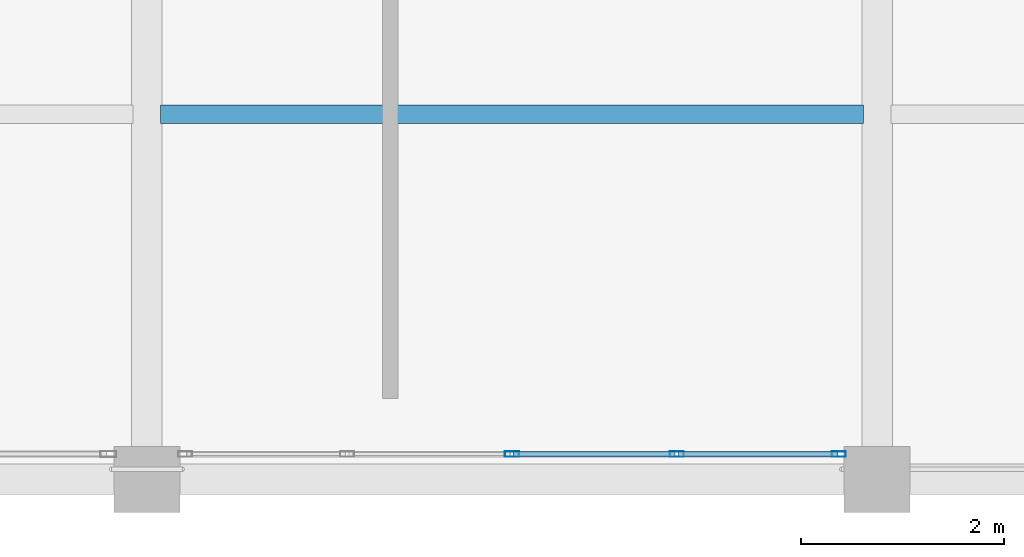
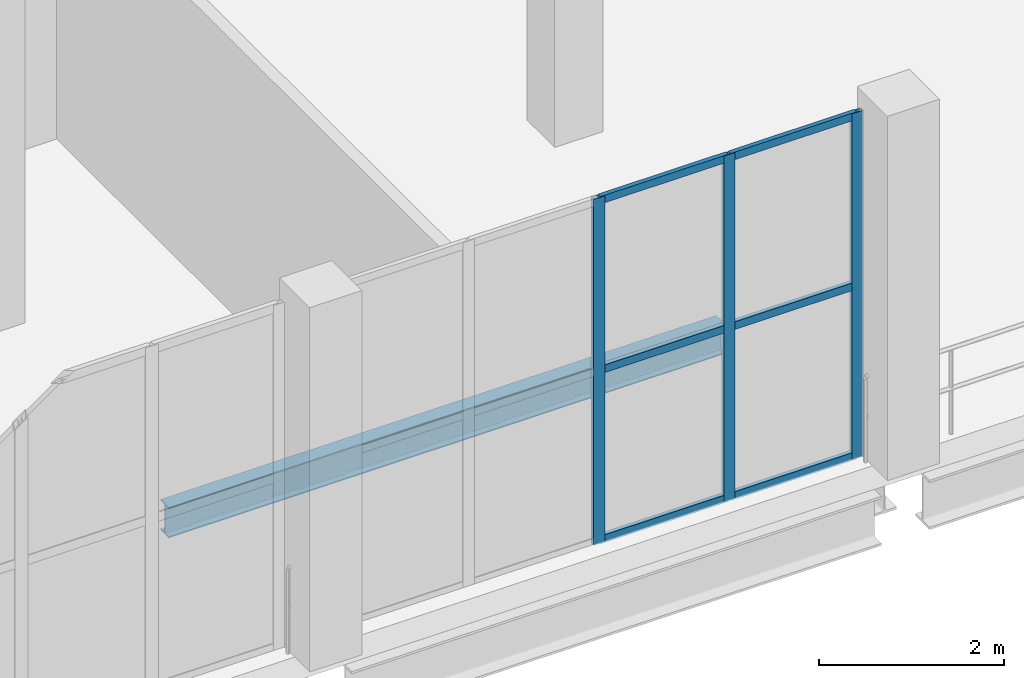
# One storey, part 26 of 105: 9 members, 1 beam, 1 element without a shape of its own.
"""IFC4 building model written with IfcOpenShell, lengths in metres."""

from ifc_helpers import new_model, si_unit, direction, frame, origin, origin_2d, place, context, subcontext, project, spatial, hollow_rectangle, i_section, extrude, material, material_profile, profile_set, type_object, element, aggregate, save


model = new_model("IFC4")

# Units and contexts
model_context = context("Model", 3, precision=1e-05, world=origin(), true_north=direction((0.0, 1.0)))
body_context = subcontext(model_context, "Body", "Model", "MODEL_VIEW")
ifc_project = project(units=[si_unit("LENGTHUNIT", "METRE"), si_unit("AREAUNIT", "SQUARE_METRE"), si_unit("VOLUMEUNIT", "CUBIC_METRE"), si_unit("PLANEANGLEUNIT", "RADIAN"), si_unit("MASSUNIT", "GRAM", prefix="KILO")], contexts=[model_context])

# Site, building, storey
site_placement = place(None, origin())
site = spatial("IfcSite", under=ifc_project, at=site_placement, CompositionType="ELEMENT")
building_placement = place(site_placement, origin())
building = spatial("IfcBuilding", under=site, at=building_placement, Name="Qandorah Velis Arena", CompositionType="ELEMENT")
storey_placement = place(building_placement, frame((0.0, 0.0, 13.800048828125)))
storey = spatial("IfcBuildingStorey", under=building, at=storey_placement, Name="L03", CompositionType="ELEMENT", Elevation=13.800048828125)

# Curtain wall, members
ifc_material_1 = material(Name="Solar-control low-E double glazing", Category="glass")
curtain_wall_type = type_object("IfcCurtainWallType", Name="ARC-CW-SYS24", PredefinedType="USERDEFINED", material=ifc_material_1)
curtain_wall_placement = place(storey_placement, origin())
curtain_wall = element("IfcCurtainWall", 1, at=curtain_wall_placement, inside=storey, type_object=curtain_wall_type, Name="Unitised curtain wall L03-072", ObjectType="UNITISED CURTAIN WALL", PredefinedType="USERDEFINED")
ifc_material_2 = material(Name="Champagne-bronze anodized aluminium 6063-T6", Category="aluminium")
ifc_material_profile_1 = material_profile(ifc_material_2, hollow_rectangle(XDim=0.054931640625, YDim=0.139892578125, WallThickness=0.0029296875, at=origin_2d()), Name="ALU MULLION 55x140")
ifc_profile_set_1 = profile_set([ifc_material_profile_1], Name="Champagne-bronze anodized aluminium 6063-T6")
member_type_1 = type_object("IfcMemberType", Name="ARC-CWM-140", PredefinedType="MULLION", material=ifc_profile_set_1)
member_1_placement = place(storey_placement, frame((104.39990234375, 0.25, -0.01513671875), z_axis=(0.0, 0.0, 1.0), x_axis=(0.0, 1.0, 0.0)))
member_1 = element("IfcMember", 2, at=member_1_placement, type_object=member_type_1, Name="CW24 mullion 3", PredefinedType="MULLION", context=body_context, shape_type="SweptSolid", body=[
    extrude(hollow_rectangle(XDim=0.054931640625, YDim=0.139892578125, WallThickness=0.0029296875, at=origin_2d()), origin(), (0.0, 0.0, 1.0), 4.56005859375),
])
member_2_placement = place(storey_placement, frame((106.02490234375, 0.25, -0.01513671875), z_axis=(0.0, 0.0, 1.0), x_axis=(0.0, 1.0, 0.0)))
member_2 = element("IfcMember", 3, at=member_2_placement, type_object=member_type_1, Name="CW24 mullion 4", PredefinedType="MULLION", context=body_context, shape_type="SweptSolid", body=[
    extrude(hollow_rectangle(XDim=0.054931640625, YDim=0.139892578125, WallThickness=0.0029296875, at=origin_2d()), origin(), (0.0, 0.0, 1.0), 4.56005859375),
])
member_3_placement = place(storey_placement, frame((107.62255859375, 0.25, -0.01513671875), z_axis=(0.0, 0.0, 1.0), x_axis=(0.0, 1.0, 0.0)))
member_3 = element("IfcMember", 4, at=member_3_placement, type_object=member_type_1, Name="CW24 mullion 5", PredefinedType="MULLION", context=body_context, shape_type="SweptSolid", body=[
    extrude(hollow_rectangle(XDim=0.054931640625, YDim=0.139892578125, WallThickness=0.0029296875, at=origin_2d()), origin(), (0.0, 0.0, 1.0), 4.56005859375),
])
ifc_material_profile_2 = material_profile(ifc_material_2, hollow_rectangle(XDim=0.054931640625, YDim=0.10009765625, WallThickness=0.0029296875, at=origin_2d()), Name="ALU TRANSOM 55x100")
ifc_profile_set_2 = profile_set([ifc_material_profile_2], Name="Champagne-bronze anodized aluminium 6063-T6")
member_type_2 = type_object("IfcMemberType", Name="ARC-CWT-100", PredefinedType="USERDEFINED", material=ifc_profile_set_2)
member_4_placement = place(storey_placement, frame((104.41552734375, 0.25, 0.02734375), z_axis=(1.0, 0.0, 0.0), x_axis=(0.0, 1.0, 0.0)))
member_4 = element("IfcMember", 5, at=member_4_placement, type_object=member_type_2, Name="CW24 transom 3.1", ObjectType="TRANSOM", PredefinedType="USERDEFINED", context=body_context, shape_type="SweptSolid", body=[
    extrude(hollow_rectangle(XDim=0.054931640625, YDim=0.10009765625, WallThickness=0.0029296875, at=origin_2d()), origin(), (0.0, 0.0, 1.0), 1.593994140625),
])
member_5_placement = place(storey_placement, frame((104.41552734375, 0.25, 2.264892578125), z_axis=(1.0, 0.0, 0.0), x_axis=(0.0, 1.0, 0.0)))
member_5 = element("IfcMember", 6, at=member_5_placement, type_object=member_type_2, Name="CW24 transom 3.2", ObjectType="TRANSOM", PredefinedType="USERDEFINED", context=body_context, shape_type="SweptSolid", body=[
    extrude(hollow_rectangle(XDim=0.054931640625, YDim=0.10009765625, WallThickness=0.0029296875, at=origin_2d()), origin(), (0.0, 0.0, 1.0), 1.593994140625),
])
member_6_placement = place(storey_placement, frame((104.41552734375, 0.25, 4.50244140625), z_axis=(1.0, 0.0, 0.0), x_axis=(0.0, 1.0, 0.0)))
member_6 = element("IfcMember", 7, at=member_6_placement, type_object=member_type_2, Name="CW24 transom 3.3", ObjectType="TRANSOM", PredefinedType="USERDEFINED", context=body_context, shape_type="SweptSolid", body=[
    extrude(hollow_rectangle(XDim=0.054931640625, YDim=0.10009765625, WallThickness=0.0029296875, at=origin_2d()), origin(), (0.0, 0.0, 1.0), 1.593994140625),
])
member_7_placement = place(storey_placement, frame((106.04052734375, 0.25, 0.02734375), z_axis=(1.0, 0.0, 0.0), x_axis=(0.0, 1.0, 0.0)))
member_7 = element("IfcMember", 8, at=member_7_placement, type_object=member_type_2, Name="CW24 transom 4.1", ObjectType="TRANSOM", PredefinedType="USERDEFINED", context=body_context, shape_type="SweptSolid", body=[
    extrude(hollow_rectangle(XDim=0.054931640625, YDim=0.10009765625, WallThickness=0.0029296875, at=origin_2d()), origin(), (0.0, 0.0, 1.0), 1.56640625),
])
member_8_placement = place(storey_placement, frame((106.04052734375, 0.25, 2.264892578125), z_axis=(1.0, 0.0, 0.0), x_axis=(0.0, 1.0, 0.0)))
member_8 = element("IfcMember", 9, at=member_8_placement, type_object=member_type_2, Name="CW24 transom 4.2", ObjectType="TRANSOM", PredefinedType="USERDEFINED", context=body_context, shape_type="SweptSolid", body=[
    extrude(hollow_rectangle(XDim=0.054931640625, YDim=0.10009765625, WallThickness=0.0029296875, at=origin_2d()), origin(), (0.0, 0.0, 1.0), 1.56640625),
])
member_9_placement = place(storey_placement, frame((106.04052734375, 0.25, 4.50244140625), z_axis=(1.0, 0.0, 0.0), x_axis=(0.0, 1.0, 0.0)))
member_9 = element("IfcMember", 10, at=member_9_placement, type_object=member_type_2, Name="CW24 transom 4.3", ObjectType="TRANSOM", PredefinedType="USERDEFINED", context=body_context, shape_type="SweptSolid", body=[
    extrude(hollow_rectangle(XDim=0.054931640625, YDim=0.10009765625, WallThickness=0.0029296875, at=origin_2d()), origin(), (0.0, 0.0, 1.0), 1.56640625),
])
aggregate(curtain_wall, [member_1, member_2, member_3, member_4, member_5, member_6, member_7, member_8, member_9])

# Beam
ifc_material_3 = material(Name="Steel S355", Category="steel")
ifc_material_profile_3 = material_profile(ifc_material_3, i_section(OverallWidth=0.179931640625, OverallDepth=0.39990234375, WebThickness=0.008544921875, FlangeThickness=0.013427734375, FilletRadius=0.02099609375, at=origin_2d()), Name="IPE 400")
ifc_profile_set_3 = profile_set([ifc_material_profile_3], Name="Steel S355")
beam_type = type_object("IfcBeamType", Name="STR-JST-IPE400", PredefinedType="JOIST", material=ifc_profile_set_3)
beam_placement = place(storey_placement, frame((100.93505859375, 3.60009765625, -0.52001953125), z_axis=(1.0, 0.0, 0.0), x_axis=(0.0, 1.0, 0.0)))
element("IfcBeam", 11, at=beam_placement, inside=storey, type_object=beam_type, Name="Secondary floor joist L03-070", PredefinedType="JOIST", context=body_context, shape_type="SweptSolid", body=[
    extrude(i_section(OverallWidth=0.179931640625, OverallDepth=0.39990234375, WebThickness=0.008544921875, FlangeThickness=0.013427734375, FilletRadius=0.02099609375, at=origin_2d()), origin(), (0.0, 0.0, 1.0), 6.929931640625),
])

save(model, "model.ifc")
